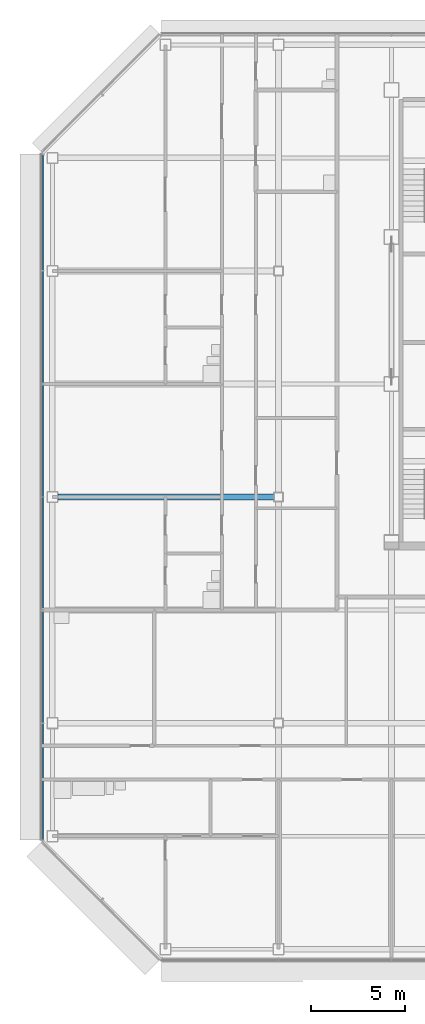
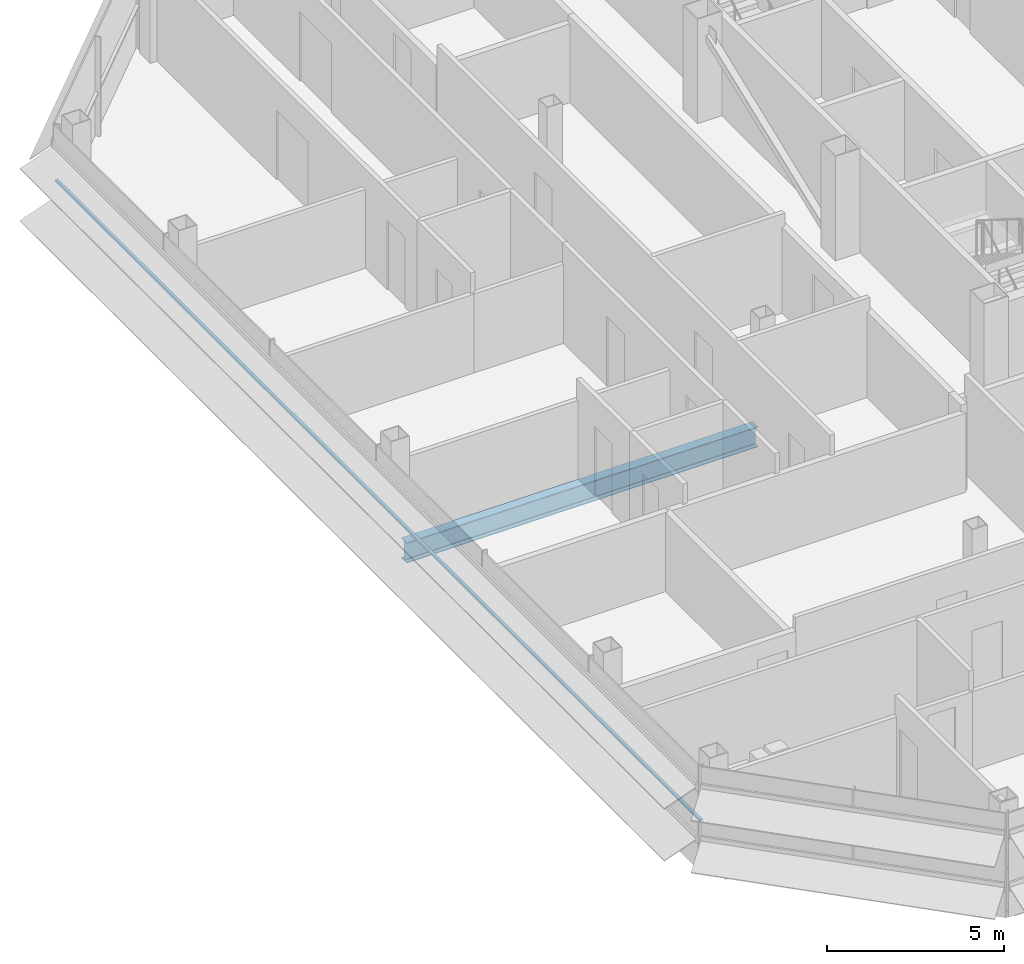
# One storey, part 6 of 28: 1 beam, 1 member, 1 element without a shape of its own.
"""IFC4 building model written with IfcOpenShell, lengths in metres."""

from ifc_helpers import new_model, si_unit, direction, frame, origin, origin_2d, place, context, subcontext, project, spatial, rectangle, i_section, extrude, material, material_profile, profile_set, type_object, element, aggregate, save


model = new_model("IFC4")

# Units and contexts
model_context = context("Model", 3, precision=1e-05, world=origin(), true_north=direction((0.0, 1.0)))
body_context = subcontext(model_context, "Body", "Model", "MODEL_VIEW")
ifc_project = project(units=[si_unit("LENGTHUNIT", "METRE"), si_unit("AREAUNIT", "SQUARE_METRE"), si_unit("VOLUMEUNIT", "CUBIC_METRE"), si_unit("PLANEANGLEUNIT", "RADIAN"), si_unit("MASSUNIT", "GRAM", prefix="KILO")], contexts=[model_context])

# Site, building, storey
site_placement = place(None, origin())
site = spatial("IfcSite", under=ifc_project, at=site_placement, CompositionType="ELEMENT")
building_placement = place(site_placement, origin())
building = spatial("IfcBuilding", under=site, at=building_placement, Name="Sorahane Residences", CompositionType="ELEMENT")
storey_placement = place(building_placement, frame((0.0, 0.0, 270.199951171875)))
storey = spatial("IfcBuildingStorey", under=building, at=storey_placement, Name="L64", CompositionType="ELEMENT", Elevation=270.199951171875)

# Curtain wall, member
ifc_material_1 = material(Name="Dark low-e glass and black anodised aluminium", Category="aluminium")
curtain_wall_type = type_object("IfcCurtainWallType", Name="Curtain wall CW-1 Typical unitised wall", PredefinedType="NOTDEFINED", material=ifc_material_1)
curtain_wall_placement = place(storey_placement, origin())
curtain_wall = element("IfcCurtainWall", 1, at=curtain_wall_placement, inside=storey, type_object=curtain_wall_type, Name="CW-1 curtain wall L64 W1", PredefinedType="NOTDEFINED")
ifc_material_2 = material(Name="Black anodised aluminium", Category="aluminium")
ifc_material_profile_1 = material_profile(ifc_material_2, rectangle(XDim=0.10009765625, YDim=0.06005859375, at=origin_2d()), Name="Curtain wall transom CW-1 black anodised aluminium 60x100")
ifc_profile_set_1 = profile_set([ifc_material_profile_1], Name="Black anodised aluminium")
member_type = type_object("IfcMemberType", Name="Curtain wall transom CW-1 black anodised aluminium 60x100", PredefinedType="USERDEFINED", material=ifc_profile_set_1)
member_placement = place(storey_placement, frame((-12.530029296875, 42.198486328125, 1.5), z_axis=(0.0, -1.0, 0.0), x_axis=(1.0, 0.0, 0.0)))
member = element("IfcMember", 2, at=member_placement, type_object=member_type, Name="CW-1 transom L64 W1", ObjectType="TRANSOM", PredefinedType="USERDEFINED", context=body_context, shape_type="SweptSolid", body=[
    extrude(rectangle(XDim=0.10009765625, YDim=0.06005859375, at=origin_2d()), origin(), (0.0, 0.0, 1.0), 36.39697265625),
])
aggregate(curtain_wall, [member])

# Beam
ifc_material_3 = material(Name="Steel Q355B", Category="steel")
ifc_material_profile_2 = material_profile(ifc_material_3, i_section(OverallWidth=0.300048828125, OverallDepth=0.699951171875, WebThickness=0.012939453125, FlangeThickness=0.02392578125, FilletRadius=0.028076171875, at=origin_2d()), Name="HN 700x300x13x24")
ifc_profile_set_2 = profile_set([ifc_material_profile_2], Name="Steel Q355B")
beam_type = type_object("IfcBeamType", Name="Steel floor beam HN 700x300x13x24 Q355B", PredefinedType="BEAM", material=ifc_profile_set_2)
beam_placement = place(storey_placement, frame((-11.699951171875, 24.0, -0.530029296875), z_axis=(1.0, 0.0, 0.0), x_axis=(0.0, 1.0, 0.0)))
element("IfcBeam", 3, at=beam_placement, inside=storey, type_object=beam_type, Name="Beam L64 011", PredefinedType="BEAM", context=body_context, shape_type="SweptSolid", body=[
    extrude(i_section(OverallWidth=0.300048828125, OverallDepth=0.699951171875, WebThickness=0.012939453125, FlangeThickness=0.02392578125, FilletRadius=0.028076171875, at=origin_2d()), origin(), (0.0, 0.0, 1.0), 11.449951171875),
])

save(model, "model.ifc")
